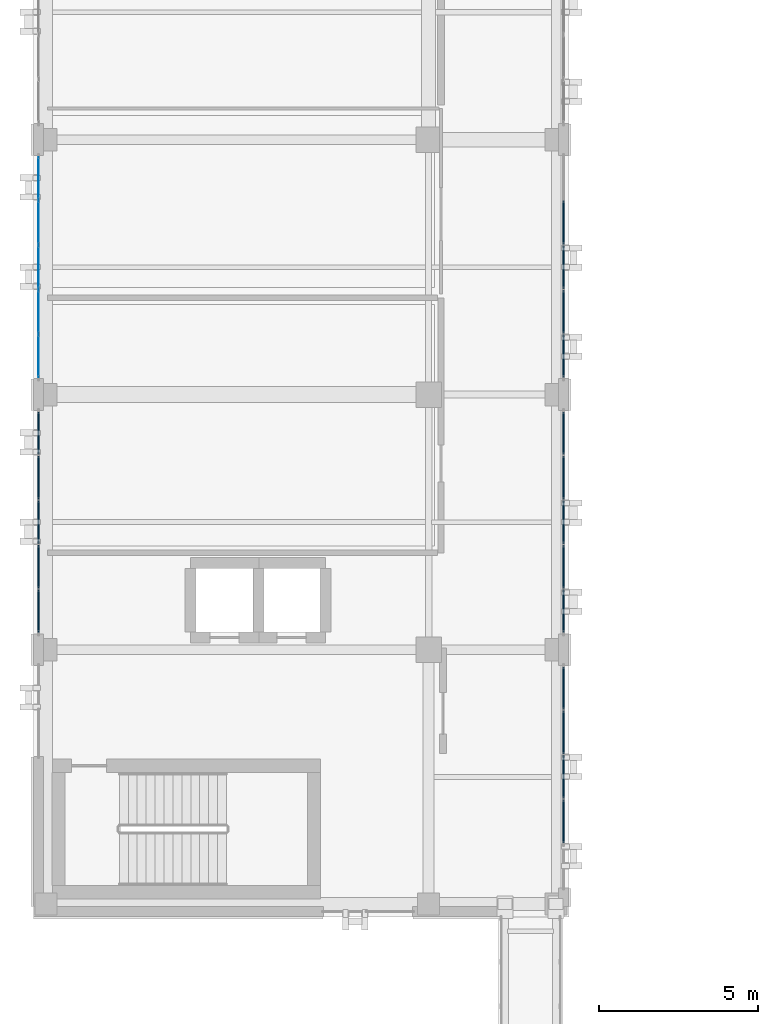
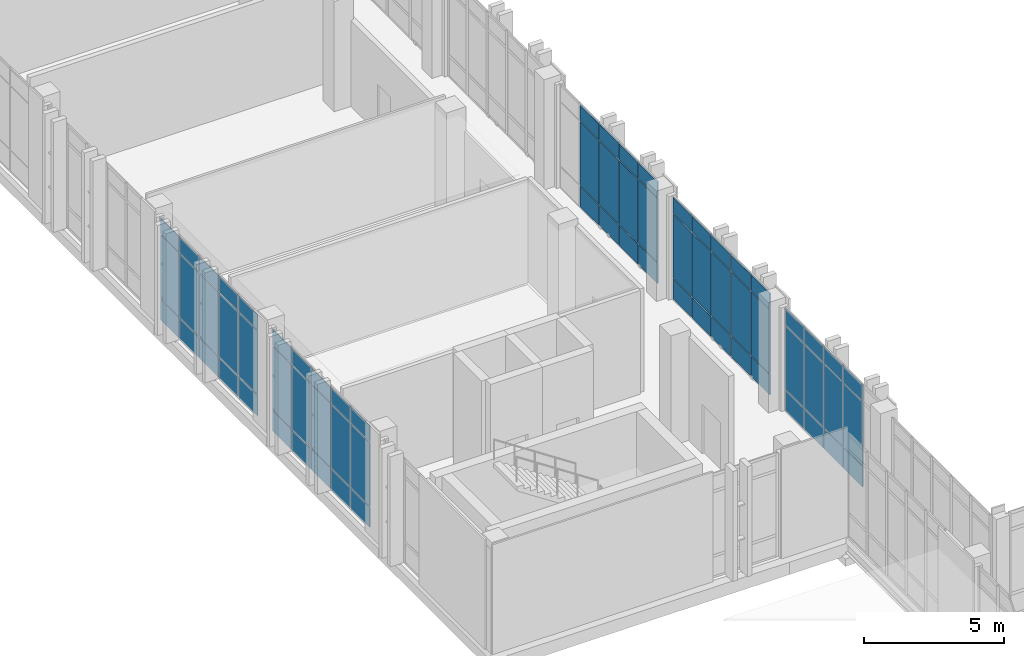
# One storey, part 133 of 189: 69 plates, 5 elements without a shape of their own.
"""IFC4 building model written with IfcOpenShell, lengths in metres."""

from ifc_helpers import new_model, si_unit, direction, frame, origin, origin_2d, place, context, subcontext, project, spatial, rectangle, extrude, material, layer, layer_set, type_object, element, aggregate, save


model = new_model("IFC4")

# Units and contexts
model_context = context("Model", 3, precision=1e-05, world=origin(), true_north=direction((0.0, 1.0)))
body_context = subcontext(model_context, "Body", "Model", "MODEL_VIEW")
ifc_project = project(units=[si_unit("LENGTHUNIT", "METRE"), si_unit("AREAUNIT", "SQUARE_METRE"), si_unit("VOLUMEUNIT", "CUBIC_METRE"), si_unit("PLANEANGLEUNIT", "RADIAN"), si_unit("MASSUNIT", "GRAM", prefix="KILO")], contexts=[model_context])

# Site, building, storey
site_placement = place(None, origin())
site = spatial("IfcSite", under=ifc_project, at=site_placement, CompositionType="ELEMENT")
building_placement = place(site_placement, origin())
building = spatial("IfcBuilding", under=site, at=building_placement, Name="Qalavern Law Courts", CompositionType="ELEMENT")
storey_placement = place(building_placement, frame((0.0, 0.0, 5.39990234375)))
storey = spatial("IfcBuildingStorey", under=building, at=storey_placement, Name="L01", CompositionType="ELEMENT", Elevation=5.39990234375)

# Curtain wall, plates
ifc_material_1 = material(Name="Anodised aluminium and insulated glazing", Category="aluminium")
ifc_layer_1 = layer(ifc_material_1, 0.172119140625)
ifc_layer_set_1 = layer_set([ifc_layer_1], Name="Anodised aluminium and insulated glazing")
curtain_wall_type = type_object("IfcCurtainWallType", Name="ENV-CW-COURT", PredefinedType="USERDEFINED", material=ifc_layer_set_1)
curtain_wall_1_placement = place(storey_placement, origin())
curtain_wall_1 = element("IfcCurtainWall", 1, at=curtain_wall_1_placement, inside=storey, type_object=curtain_wall_type, Name="V3 unitised curtain wall L01 west 5", ObjectType="UNITISED CURTAIN WALL", PredefinedType="USERDEFINED")
ifc_material_2 = material(Name="Insulated low-E acoustic glazing", Category="glass")
ifc_layer_2 = layer(ifc_material_2, 0.028076171875)
ifc_layer_set_2 = layer_set([ifc_layer_2], Name="Insulated low-E acoustic glazing")
plate_type_1 = type_object("IfcPlateType", Name="ENV-CWP-28", PredefinedType="CURTAIN_PANEL", material=ifc_layer_set_2)
plate_1_placement = place(storey_placement, frame((2.16259765625, 64.18798828125, 0.048095703125), z_axis=(0.0, 0.0, 1.0), x_axis=(0.0, -1.0, 0.0)))
plate_1 = element("IfcPlate", 2, at=plate_1_placement, type_object=plate_type_1, Name="CW-03 panel 1.1", PredefinedType="CURTAIN_PANEL", context=body_context, shape_type="SweptSolid", body=[
    extrude(rectangle(XDim=1.327880859375, YDim=0.028076171875, at=origin_2d()), origin(), (0.0, 0.0, 1.0), 0.8779296875),
])
plate_2_placement = place(storey_placement, frame((2.16259765625, 64.18798828125, 0.97412109375), z_axis=(0.0, 0.0, 1.0), x_axis=(0.0, -1.0, 0.0)))
plate_2 = element("IfcPlate", 3, at=plate_2_placement, type_object=plate_type_1, Name="CW-03 panel 1.2", PredefinedType="CURTAIN_PANEL", context=body_context, shape_type="SweptSolid", body=[
    extrude(rectangle(XDim=1.327880859375, YDim=0.028076171875, at=origin_2d()), origin(), (0.0, 0.0, 1.0), 2.761962890625),
])
plate_3_placement = place(storey_placement, frame((2.16259765625, 64.18798828125, 3.7841796875), z_axis=(0.0, 0.0, 1.0), x_axis=(0.0, -1.0, 0.0)))
plate_3 = element("IfcPlate", 4, at=plate_3_placement, type_object=plate_type_1, Name="CW-03 panel 1.3", PredefinedType="CURTAIN_PANEL", context=body_context, shape_type="SweptSolid", body=[
    extrude(rectangle(XDim=1.327880859375, YDim=0.028076171875, at=origin_2d()), origin(), (0.0, 0.0, 1.0), 0.677978515625),
])
plate_4_placement = place(storey_placement, frame((2.16259765625, 62.800048828125, 0.048095703125), z_axis=(0.0, 0.0, 1.0), x_axis=(0.0, -1.0, 0.0)))
plate_4 = element("IfcPlate", 5, at=plate_4_placement, type_object=plate_type_1, Name="CW-03 panel 2.1", PredefinedType="CURTAIN_PANEL", context=body_context, shape_type="SweptSolid", body=[
    extrude(rectangle(XDim=1.35205078125, YDim=0.028076171875, at=origin_2d()), origin(), (0.0, 0.0, 1.0), 0.8779296875),
])
plate_5_placement = place(storey_placement, frame((2.16259765625, 62.800048828125, 0.97412109375), z_axis=(0.0, 0.0, 1.0), x_axis=(0.0, -1.0, 0.0)))
plate_5 = element("IfcPlate", 6, at=plate_5_placement, type_object=plate_type_1, Name="CW-03 panel 2.2", PredefinedType="CURTAIN_PANEL", context=body_context, shape_type="SweptSolid", body=[
    extrude(rectangle(XDim=1.35205078125, YDim=0.028076171875, at=origin_2d()), origin(), (0.0, 0.0, 1.0), 2.761962890625),
])
plate_6_placement = place(storey_placement, frame((2.16259765625, 62.800048828125, 3.7841796875), z_axis=(0.0, 0.0, 1.0), x_axis=(0.0, -1.0, 0.0)))
plate_6 = element("IfcPlate", 7, at=plate_6_placement, type_object=plate_type_1, Name="CW-03 panel 2.3", PredefinedType="CURTAIN_PANEL", context=body_context, shape_type="SweptSolid", body=[
    extrude(rectangle(XDim=1.35205078125, YDim=0.028076171875, at=origin_2d()), origin(), (0.0, 0.0, 1.0), 0.677978515625),
])
plate_7_placement = place(storey_placement, frame((2.16259765625, 61.39990234375, 0.048095703125), z_axis=(0.0, 0.0, 1.0), x_axis=(0.0, -1.0, 0.0)))
plate_7 = element("IfcPlate", 8, at=plate_7_placement, type_object=plate_type_1, Name="CW-03 panel 3.1", PredefinedType="CURTAIN_PANEL", context=body_context, shape_type="SweptSolid", body=[
    extrude(rectangle(XDim=1.35205078125, YDim=0.028076171875, at=origin_2d()), origin(), (0.0, 0.0, 1.0), 0.8779296875),
])
plate_8_placement = place(storey_placement, frame((2.16259765625, 61.39990234375, 0.97412109375), z_axis=(0.0, 0.0, 1.0), x_axis=(0.0, -1.0, 0.0)))
plate_8 = element("IfcPlate", 9, at=plate_8_placement, type_object=plate_type_1, Name="CW-03 panel 3.2", PredefinedType="CURTAIN_PANEL", context=body_context, shape_type="SweptSolid", body=[
    extrude(rectangle(XDim=1.35205078125, YDim=0.028076171875, at=origin_2d()), origin(), (0.0, 0.0, 1.0), 2.761962890625),
])
plate_9_placement = place(storey_placement, frame((2.16259765625, 61.39990234375, 3.7841796875), z_axis=(0.0, 0.0, 1.0), x_axis=(0.0, -1.0, 0.0)))
plate_9 = element("IfcPlate", 10, at=plate_9_placement, type_object=plate_type_1, Name="CW-03 panel 3.3", PredefinedType="CURTAIN_PANEL", context=body_context, shape_type="SweptSolid", body=[
    extrude(rectangle(XDim=1.35205078125, YDim=0.028076171875, at=origin_2d()), origin(), (0.0, 0.0, 1.0), 0.677978515625),
])
plate_10_placement = place(storey_placement, frame((2.16259765625, 60.0, 0.048095703125), z_axis=(0.0, 0.0, 1.0), x_axis=(0.0, -1.0, 0.0)))
plate_10 = element("IfcPlate", 11, at=plate_10_placement, type_object=plate_type_1, Name="CW-03 panel 4.1", PredefinedType="CURTAIN_PANEL", context=body_context, shape_type="SweptSolid", body=[
    extrude(rectangle(XDim=1.35205078125, YDim=0.028076171875, at=origin_2d()), origin(), (0.0, 0.0, 1.0), 0.8779296875),
])
plate_11_placement = place(storey_placement, frame((2.16259765625, 60.0, 0.97412109375), z_axis=(0.0, 0.0, 1.0), x_axis=(0.0, -1.0, 0.0)))
plate_11 = element("IfcPlate", 12, at=plate_11_placement, type_object=plate_type_1, Name="CW-03 panel 4.2", PredefinedType="CURTAIN_PANEL", context=body_context, shape_type="SweptSolid", body=[
    extrude(rectangle(XDim=1.35205078125, YDim=0.028076171875, at=origin_2d()), origin(), (0.0, 0.0, 1.0), 2.761962890625),
])
plate_12_placement = place(storey_placement, frame((2.16259765625, 60.0, 3.7841796875), z_axis=(0.0, 0.0, 1.0), x_axis=(0.0, -1.0, 0.0)))
plate_12 = element("IfcPlate", 13, at=plate_12_placement, type_object=plate_type_1, Name="CW-03 panel 4.3", PredefinedType="CURTAIN_PANEL", context=body_context, shape_type="SweptSolid", body=[
    extrude(rectangle(XDim=1.35205078125, YDim=0.028076171875, at=origin_2d()), origin(), (0.0, 0.0, 1.0), 0.677978515625),
])
plate_13_placement = place(storey_placement, frame((2.16259765625, 58.612060546875, 0.048095703125), z_axis=(0.0, 0.0, 1.0), x_axis=(0.0, -1.0, 0.0)))
plate_13 = element("IfcPlate", 14, at=plate_13_placement, type_object=plate_type_1, Name="CW-03 panel 5.1", PredefinedType="CURTAIN_PANEL", context=body_context, shape_type="SweptSolid", body=[
    extrude(rectangle(XDim=1.327880859375, YDim=0.028076171875, at=origin_2d()), origin(), (0.0, 0.0, 1.0), 0.8779296875),
])
plate_14_placement = place(storey_placement, frame((2.16259765625, 58.612060546875, 0.97412109375), z_axis=(0.0, 0.0, 1.0), x_axis=(0.0, -1.0, 0.0)))
plate_14 = element("IfcPlate", 15, at=plate_14_placement, type_object=plate_type_1, Name="CW-03 panel 5.2", PredefinedType="CURTAIN_PANEL", context=body_context, shape_type="SweptSolid", body=[
    extrude(rectangle(XDim=1.327880859375, YDim=0.028076171875, at=origin_2d()), origin(), (0.0, 0.0, 1.0), 2.761962890625),
])
plate_15_placement = place(storey_placement, frame((2.16259765625, 58.612060546875, 3.7841796875), z_axis=(0.0, 0.0, 1.0), x_axis=(0.0, -1.0, 0.0)))
plate_15 = element("IfcPlate", 16, at=plate_15_placement, type_object=plate_type_1, Name="CW-03 panel 5.3", PredefinedType="CURTAIN_PANEL", context=body_context, shape_type="SweptSolid", body=[
    extrude(rectangle(XDim=1.327880859375, YDim=0.028076171875, at=origin_2d()), origin(), (0.0, 0.0, 1.0), 0.677978515625),
])
aggregate(curtain_wall_1, [plate_1, plate_2, plate_3, plate_4, plate_5, plate_6, plate_7, plate_8, plate_9, plate_10, plate_11, plate_12, plate_13, plate_14, plate_15])

curtain_wall_2_placement = place(storey_placement, origin())
curtain_wall_2 = element("IfcCurtainWall", 17, at=curtain_wall_2_placement, inside=storey, type_object=curtain_wall_type, Name="V3 unitised curtain wall L01 west 6", ObjectType="UNITISED CURTAIN WALL", PredefinedType="USERDEFINED")
ifc_layer_3 = layer(ifc_material_2, 0.031982421875)
ifc_layer_set_3 = layer_set([ifc_layer_3], Name="Insulated low-E acoustic glazing")
plate_type_2 = type_object("IfcPlateType", Name="ENV-CWP-32", PredefinedType="CURTAIN_PANEL", material=ifc_layer_set_3)
plate_16_placement = place(storey_placement, frame((2.16259765625, 56.18798828125, 0.048095703125), z_axis=(0.0, 0.0, 1.0), x_axis=(0.0, -1.0, 0.0)))
plate_16 = element("IfcPlate", 18, at=plate_16_placement, type_object=plate_type_2, Name="CW-03 panel 1.1", PredefinedType="CURTAIN_PANEL", context=body_context, shape_type="SweptSolid", body=[
    extrude(rectangle(XDim=1.327880859375, YDim=0.031982421875, at=origin_2d()), origin(), (0.0, 0.0, 1.0), 0.8779296875),
])
plate_17_placement = place(storey_placement, frame((2.16259765625, 56.18798828125, 0.97412109375), z_axis=(0.0, 0.0, 1.0), x_axis=(0.0, -1.0, 0.0)))
plate_17 = element("IfcPlate", 19, at=plate_17_placement, type_object=plate_type_2, Name="CW-03 panel 1.2", PredefinedType="CURTAIN_PANEL", context=body_context, shape_type="SweptSolid", body=[
    extrude(rectangle(XDim=1.327880859375, YDim=0.031982421875, at=origin_2d()), origin(), (0.0, 0.0, 1.0), 2.761962890625),
])
plate_18_placement = place(storey_placement, frame((2.16259765625, 56.18798828125, 3.7841796875), z_axis=(0.0, 0.0, 1.0), x_axis=(0.0, -1.0, 0.0)))
plate_18 = element("IfcPlate", 20, at=plate_18_placement, type_object=plate_type_2, Name="CW-03 panel 1.3", PredefinedType="CURTAIN_PANEL", context=body_context, shape_type="SweptSolid", body=[
    extrude(rectangle(XDim=1.327880859375, YDim=0.031982421875, at=origin_2d()), origin(), (0.0, 0.0, 1.0), 0.677978515625),
])
plate_19_placement = place(storey_placement, frame((2.16259765625, 54.800048828125, 0.048095703125), z_axis=(0.0, 0.0, 1.0), x_axis=(0.0, -1.0, 0.0)))
plate_19 = element("IfcPlate", 21, at=plate_19_placement, type_object=plate_type_2, Name="CW-03 panel 2.1", PredefinedType="CURTAIN_PANEL", context=body_context, shape_type="SweptSolid", body=[
    extrude(rectangle(XDim=1.35205078125, YDim=0.031982421875, at=origin_2d()), origin(), (0.0, 0.0, 1.0), 0.8779296875),
])
plate_20_placement = place(storey_placement, frame((2.16259765625, 54.800048828125, 0.97412109375), z_axis=(0.0, 0.0, 1.0), x_axis=(0.0, -1.0, 0.0)))
plate_20 = element("IfcPlate", 22, at=plate_20_placement, type_object=plate_type_2, Name="CW-03 panel 2.2", PredefinedType="CURTAIN_PANEL", context=body_context, shape_type="SweptSolid", body=[
    extrude(rectangle(XDim=1.35205078125, YDim=0.031982421875, at=origin_2d()), origin(), (0.0, 0.0, 1.0), 2.761962890625),
])
plate_21_placement = place(storey_placement, frame((2.16259765625, 54.800048828125, 3.7841796875), z_axis=(0.0, 0.0, 1.0), x_axis=(0.0, -1.0, 0.0)))
plate_21 = element("IfcPlate", 23, at=plate_21_placement, type_object=plate_type_2, Name="CW-03 panel 2.3", PredefinedType="CURTAIN_PANEL", context=body_context, shape_type="SweptSolid", body=[
    extrude(rectangle(XDim=1.35205078125, YDim=0.031982421875, at=origin_2d()), origin(), (0.0, 0.0, 1.0), 0.677978515625),
])
plate_22_placement = place(storey_placement, frame((2.16259765625, 53.39990234375, 0.048095703125), z_axis=(0.0, 0.0, 1.0), x_axis=(0.0, -1.0, 0.0)))
plate_22 = element("IfcPlate", 24, at=plate_22_placement, type_object=plate_type_2, Name="CW-03 panel 3.1", PredefinedType="CURTAIN_PANEL", context=body_context, shape_type="SweptSolid", body=[
    extrude(rectangle(XDim=1.35205078125, YDim=0.031982421875, at=origin_2d()), origin(), (0.0, 0.0, 1.0), 0.8779296875),
])
plate_23_placement = place(storey_placement, frame((2.16259765625, 53.39990234375, 0.97412109375), z_axis=(0.0, 0.0, 1.0), x_axis=(0.0, -1.0, 0.0)))
plate_23 = element("IfcPlate", 25, at=plate_23_placement, type_object=plate_type_2, Name="CW-03 panel 3.2", PredefinedType="CURTAIN_PANEL", context=body_context, shape_type="SweptSolid", body=[
    extrude(rectangle(XDim=1.35205078125, YDim=0.031982421875, at=origin_2d()), origin(), (0.0, 0.0, 1.0), 2.761962890625),
])
plate_24_placement = place(storey_placement, frame((2.16259765625, 53.39990234375, 3.7841796875), z_axis=(0.0, 0.0, 1.0), x_axis=(0.0, -1.0, 0.0)))
plate_24 = element("IfcPlate", 26, at=plate_24_placement, type_object=plate_type_2, Name="CW-03 panel 3.3", PredefinedType="CURTAIN_PANEL", context=body_context, shape_type="SweptSolid", body=[
    extrude(rectangle(XDim=1.35205078125, YDim=0.031982421875, at=origin_2d()), origin(), (0.0, 0.0, 1.0), 0.677978515625),
])
plate_25_placement = place(storey_placement, frame((2.16259765625, 52.0, 0.048095703125), z_axis=(0.0, 0.0, 1.0), x_axis=(0.0, -1.0, 0.0)))
plate_25 = element("IfcPlate", 27, at=plate_25_placement, type_object=plate_type_2, Name="CW-03 panel 4.1", PredefinedType="CURTAIN_PANEL", context=body_context, shape_type="SweptSolid", body=[
    extrude(rectangle(XDim=1.35205078125, YDim=0.031982421875, at=origin_2d()), origin(), (0.0, 0.0, 1.0), 0.8779296875),
])
plate_26_placement = place(storey_placement, frame((2.16259765625, 52.0, 0.97412109375), z_axis=(0.0, 0.0, 1.0), x_axis=(0.0, -1.0, 0.0)))
plate_26 = element("IfcPlate", 28, at=plate_26_placement, type_object=plate_type_2, Name="CW-03 panel 4.2", PredefinedType="CURTAIN_PANEL", context=body_context, shape_type="SweptSolid", body=[
    extrude(rectangle(XDim=1.35205078125, YDim=0.031982421875, at=origin_2d()), origin(), (0.0, 0.0, 1.0), 2.761962890625),
])
plate_27_placement = place(storey_placement, frame((2.16259765625, 52.0, 3.7841796875), z_axis=(0.0, 0.0, 1.0), x_axis=(0.0, -1.0, 0.0)))
plate_27 = element("IfcPlate", 29, at=plate_27_placement, type_object=plate_type_2, Name="CW-03 panel 4.3", PredefinedType="CURTAIN_PANEL", context=body_context, shape_type="SweptSolid", body=[
    extrude(rectangle(XDim=1.35205078125, YDim=0.031982421875, at=origin_2d()), origin(), (0.0, 0.0, 1.0), 0.677978515625),
])
plate_28_placement = place(storey_placement, frame((2.16259765625, 50.612060546875, 0.048095703125), z_axis=(0.0, 0.0, 1.0), x_axis=(0.0, -1.0, 0.0)))
plate_28 = element("IfcPlate", 30, at=plate_28_placement, type_object=plate_type_2, Name="CW-03 panel 5.1", PredefinedType="CURTAIN_PANEL", context=body_context, shape_type="SweptSolid", body=[
    extrude(rectangle(XDim=1.327880859375, YDim=0.031982421875, at=origin_2d()), origin(), (0.0, 0.0, 1.0), 0.8779296875),
])
plate_29_placement = place(storey_placement, frame((2.16259765625, 50.612060546875, 0.97412109375), z_axis=(0.0, 0.0, 1.0), x_axis=(0.0, -1.0, 0.0)))
plate_29 = element("IfcPlate", 31, at=plate_29_placement, type_object=plate_type_2, Name="CW-03 panel 5.2", PredefinedType="CURTAIN_PANEL", context=body_context, shape_type="SweptSolid", body=[
    extrude(rectangle(XDim=1.327880859375, YDim=0.031982421875, at=origin_2d()), origin(), (0.0, 0.0, 1.0), 2.761962890625),
])
plate_30_placement = place(storey_placement, frame((2.16259765625, 50.612060546875, 3.7841796875), z_axis=(0.0, 0.0, 1.0), x_axis=(0.0, -1.0, 0.0)))
plate_30 = element("IfcPlate", 32, at=plate_30_placement, type_object=plate_type_2, Name="CW-03 panel 5.3", PredefinedType="CURTAIN_PANEL", context=body_context, shape_type="SweptSolid", body=[
    extrude(rectangle(XDim=1.327880859375, YDim=0.031982421875, at=origin_2d()), origin(), (0.0, 0.0, 1.0), 0.677978515625),
])
aggregate(curtain_wall_2, [plate_16, plate_17, plate_18, plate_19, plate_20, plate_21, plate_22, plate_23, plate_24, plate_25, plate_26, plate_27, plate_28, plate_29, plate_30])

curtain_wall_3_placement = place(storey_placement, origin())
curtain_wall_3 = element("IfcCurtainWall", 33, at=curtain_wall_3_placement, inside=storey, type_object=curtain_wall_type, Name="V3 unitised curtain wall L01 east 1", ObjectType="UNITISED CURTAIN WALL", PredefinedType="USERDEFINED")
ifc_layer_4 = layer(ifc_material_2, 0.0439453125)
ifc_layer_set_4 = layer_set([ifc_layer_4], Name="Insulated low-E acoustic glazing")
plate_type_3 = type_object("IfcPlateType", Name="ENV-CWP-44", PredefinedType="CURTAIN_PANEL", material=ifc_layer_set_4)
plate_31_placement = place(storey_placement, frame((18.637451171875, 44.013916015625, 0.048095703125), z_axis=(0.0, 0.0, 1.0), x_axis=(0.0, 1.0, 0.0)))
plate_31 = element("IfcPlate", 34, at=plate_31_placement, type_object=plate_type_3, Name="CW-03 panel 2.1", PredefinedType="CURTAIN_PANEL", context=body_context, shape_type="SweptSolid", body=[
    extrude(rectangle(XDim=1.347900390625, YDim=0.0439453125, at=origin_2d()), origin(), (0.0, 0.0, 1.0), 0.8779296875),
])
plate_32_placement = place(storey_placement, frame((18.637451171875, 44.013916015625, 0.97412109375), z_axis=(0.0, 0.0, 1.0), x_axis=(0.0, 1.0, 0.0)))
plate_32 = element("IfcPlate", 35, at=plate_32_placement, type_object=plate_type_3, Name="CW-03 panel 2.2", PredefinedType="CURTAIN_PANEL", context=body_context, shape_type="SweptSolid", body=[
    extrude(rectangle(XDim=1.347900390625, YDim=0.0439453125, at=origin_2d()), origin(), (0.0, 0.0, 1.0), 2.761962890625),
])
plate_33_placement = place(storey_placement, frame((18.637451171875, 44.013916015625, 3.7841796875), z_axis=(0.0, 0.0, 1.0), x_axis=(0.0, 1.0, 0.0)))
plate_33 = element("IfcPlate", 36, at=plate_33_placement, type_object=plate_type_3, Name="CW-03 panel 2.3", PredefinedType="CURTAIN_PANEL", context=body_context, shape_type="SweptSolid", body=[
    extrude(rectangle(XDim=1.347900390625, YDim=0.0439453125, at=origin_2d()), origin(), (0.0, 0.0, 1.0), 0.677978515625),
])
plate_34_placement = place(storey_placement, frame((18.637451171875, 45.409912109375, 0.048095703125), z_axis=(0.0, 0.0, 1.0), x_axis=(0.0, 1.0, 0.0)))
plate_34 = element("IfcPlate", 37, at=plate_34_placement, type_object=plate_type_3, Name="CW-03 panel 3.1", PredefinedType="CURTAIN_PANEL", context=body_context, shape_type="SweptSolid", body=[
    extrude(rectangle(XDim=1.347900390625, YDim=0.0439453125, at=origin_2d()), origin(), (0.0, 0.0, 1.0), 0.8779296875),
])
plate_35_placement = place(storey_placement, frame((18.637451171875, 45.409912109375, 0.97412109375), z_axis=(0.0, 0.0, 1.0), x_axis=(0.0, 1.0, 0.0)))
plate_35 = element("IfcPlate", 38, at=plate_35_placement, type_object=plate_type_3, Name="CW-03 panel 3.2", PredefinedType="CURTAIN_PANEL", context=body_context, shape_type="SweptSolid", body=[
    extrude(rectangle(XDim=1.347900390625, YDim=0.0439453125, at=origin_2d()), origin(), (0.0, 0.0, 1.0), 2.761962890625),
])
plate_36_placement = place(storey_placement, frame((18.637451171875, 45.409912109375, 3.7841796875), z_axis=(0.0, 0.0, 1.0), x_axis=(0.0, 1.0, 0.0)))
plate_36 = element("IfcPlate", 39, at=plate_36_placement, type_object=plate_type_3, Name="CW-03 panel 3.3", PredefinedType="CURTAIN_PANEL", context=body_context, shape_type="SweptSolid", body=[
    extrude(rectangle(XDim=1.347900390625, YDim=0.0439453125, at=origin_2d()), origin(), (0.0, 0.0, 1.0), 0.677978515625),
])
plate_37_placement = place(storey_placement, frame((18.637451171875, 46.805908203125, 0.048095703125), z_axis=(0.0, 0.0, 1.0), x_axis=(0.0, 1.0, 0.0)))
plate_37 = element("IfcPlate", 40, at=plate_37_placement, type_object=plate_type_3, Name="CW-03 panel 4.1", PredefinedType="CURTAIN_PANEL", context=body_context, shape_type="SweptSolid", body=[
    extrude(rectangle(XDim=1.347900390625, YDim=0.0439453125, at=origin_2d()), origin(), (0.0, 0.0, 1.0), 0.8779296875),
])
plate_38_placement = place(storey_placement, frame((18.637451171875, 46.805908203125, 0.97412109375), z_axis=(0.0, 0.0, 1.0), x_axis=(0.0, 1.0, 0.0)))
plate_38 = element("IfcPlate", 41, at=plate_38_placement, type_object=plate_type_3, Name="CW-03 panel 4.2", PredefinedType="CURTAIN_PANEL", context=body_context, shape_type="SweptSolid", body=[
    extrude(rectangle(XDim=1.347900390625, YDim=0.0439453125, at=origin_2d()), origin(), (0.0, 0.0, 1.0), 2.761962890625),
])
plate_39_placement = place(storey_placement, frame((18.637451171875, 46.805908203125, 3.7841796875), z_axis=(0.0, 0.0, 1.0), x_axis=(0.0, 1.0, 0.0)))
plate_39 = element("IfcPlate", 42, at=plate_39_placement, type_object=plate_type_3, Name="CW-03 panel 4.3", PredefinedType="CURTAIN_PANEL", context=body_context, shape_type="SweptSolid", body=[
    extrude(rectangle(XDim=1.347900390625, YDim=0.0439453125, at=origin_2d()), origin(), (0.0, 0.0, 1.0), 0.677978515625),
])
plate_40_placement = place(storey_placement, frame((18.637451171875, 48.18994140625, 0.048095703125), z_axis=(0.0, 0.0, 1.0), x_axis=(0.0, 1.0, 0.0)))
plate_40 = element("IfcPlate", 43, at=plate_40_placement, type_object=plate_type_3, Name="CW-03 panel 5.1", PredefinedType="CURTAIN_PANEL", context=body_context, shape_type="SweptSolid", body=[
    extrude(rectangle(XDim=1.323974609375, YDim=0.0439453125, at=origin_2d()), origin(), (0.0, 0.0, 1.0), 0.8779296875),
])
plate_41_placement = place(storey_placement, frame((18.637451171875, 48.18994140625, 0.97412109375), z_axis=(0.0, 0.0, 1.0), x_axis=(0.0, 1.0, 0.0)))
plate_41 = element("IfcPlate", 44, at=plate_41_placement, type_object=plate_type_3, Name="CW-03 panel 5.2", PredefinedType="CURTAIN_PANEL", context=body_context, shape_type="SweptSolid", body=[
    extrude(rectangle(XDim=1.323974609375, YDim=0.0439453125, at=origin_2d()), origin(), (0.0, 0.0, 1.0), 2.761962890625),
])
plate_42_placement = place(storey_placement, frame((18.637451171875, 48.18994140625, 3.7841796875), z_axis=(0.0, 0.0, 1.0), x_axis=(0.0, 1.0, 0.0)))
plate_42 = element("IfcPlate", 45, at=plate_42_placement, type_object=plate_type_3, Name="CW-03 panel 5.3", PredefinedType="CURTAIN_PANEL", context=body_context, shape_type="SweptSolid", body=[
    extrude(rectangle(XDim=1.323974609375, YDim=0.0439453125, at=origin_2d()), origin(), (0.0, 0.0, 1.0), 0.677978515625),
])
aggregate(curtain_wall_3, [plate_31, plate_32, plate_33, plate_34, plate_35, plate_36, plate_37, plate_38, plate_39, plate_40, plate_41, plate_42])

curtain_wall_4_placement = place(storey_placement, origin())
curtain_wall_4 = element("IfcCurtainWall", 46, at=curtain_wall_4_placement, inside=storey, type_object=curtain_wall_type, Name="V3 unitised curtain wall L01 east 2", ObjectType="UNITISED CURTAIN WALL", PredefinedType="USERDEFINED")
ifc_layer_5 = layer(ifc_material_2, 0.048095703125)
ifc_layer_set_5 = layer_set([ifc_layer_5], Name="Insulated low-E acoustic glazing")
plate_type_4 = type_object("IfcPlateType", Name="ENV-CWP-48", PredefinedType="CURTAIN_PANEL", material=ifc_layer_set_5)
plate_43_placement = place(storey_placement, frame((18.637451171875, 50.612060546875, 0.048095703125), z_axis=(0.0, 0.0, 1.0), x_axis=(0.0, 1.0, 0.0)))
plate_43 = element("IfcPlate", 47, at=plate_43_placement, type_object=plate_type_4, Name="CW-03 panel 1.1", PredefinedType="CURTAIN_PANEL", context=body_context, shape_type="SweptSolid", body=[
    extrude(rectangle(XDim=1.327880859375, YDim=0.048095703125, at=origin_2d()), origin(), (0.0, 0.0, 1.0), 0.8779296875),
])
plate_44_placement = place(storey_placement, frame((18.637451171875, 50.612060546875, 0.97412109375), z_axis=(0.0, 0.0, 1.0), x_axis=(0.0, 1.0, 0.0)))
plate_44 = element("IfcPlate", 48, at=plate_44_placement, type_object=plate_type_4, Name="CW-03 panel 1.2", PredefinedType="CURTAIN_PANEL", context=body_context, shape_type="SweptSolid", body=[
    extrude(rectangle(XDim=1.327880859375, YDim=0.048095703125, at=origin_2d()), origin(), (0.0, 0.0, 1.0), 2.761962890625),
])
plate_45_placement = place(storey_placement, frame((18.637451171875, 50.612060546875, 3.7841796875), z_axis=(0.0, 0.0, 1.0), x_axis=(0.0, 1.0, 0.0)))
plate_45 = element("IfcPlate", 49, at=plate_45_placement, type_object=plate_type_4, Name="CW-03 panel 1.3", PredefinedType="CURTAIN_PANEL", context=body_context, shape_type="SweptSolid", body=[
    extrude(rectangle(XDim=1.327880859375, YDim=0.048095703125, at=origin_2d()), origin(), (0.0, 0.0, 1.0), 0.677978515625),
])
plate_46_placement = place(storey_placement, frame((18.637451171875, 52.0, 0.048095703125), z_axis=(0.0, 0.0, 1.0), x_axis=(0.0, 1.0, 0.0)))
plate_46 = element("IfcPlate", 50, at=plate_46_placement, type_object=plate_type_4, Name="CW-03 panel 2.1", PredefinedType="CURTAIN_PANEL", context=body_context, shape_type="SweptSolid", body=[
    extrude(rectangle(XDim=1.35205078125, YDim=0.048095703125, at=origin_2d()), origin(), (0.0, 0.0, 1.0), 0.8779296875),
])
plate_47_placement = place(storey_placement, frame((18.637451171875, 52.0, 0.97412109375), z_axis=(0.0, 0.0, 1.0), x_axis=(0.0, 1.0, 0.0)))
plate_47 = element("IfcPlate", 51, at=plate_47_placement, type_object=plate_type_4, Name="CW-03 panel 2.2", PredefinedType="CURTAIN_PANEL", context=body_context, shape_type="SweptSolid", body=[
    extrude(rectangle(XDim=1.35205078125, YDim=0.048095703125, at=origin_2d()), origin(), (0.0, 0.0, 1.0), 2.761962890625),
])
plate_48_placement = place(storey_placement, frame((18.637451171875, 52.0, 3.7841796875), z_axis=(0.0, 0.0, 1.0), x_axis=(0.0, 1.0, 0.0)))
plate_48 = element("IfcPlate", 52, at=plate_48_placement, type_object=plate_type_4, Name="CW-03 panel 2.3", PredefinedType="CURTAIN_PANEL", context=body_context, shape_type="SweptSolid", body=[
    extrude(rectangle(XDim=1.35205078125, YDim=0.048095703125, at=origin_2d()), origin(), (0.0, 0.0, 1.0), 0.677978515625),
])
plate_49_placement = place(storey_placement, frame((18.637451171875, 53.39990234375, 0.048095703125), z_axis=(0.0, 0.0, 1.0), x_axis=(0.0, 1.0, 0.0)))
plate_49 = element("IfcPlate", 53, at=plate_49_placement, type_object=plate_type_4, Name="CW-03 panel 3.1", PredefinedType="CURTAIN_PANEL", context=body_context, shape_type="SweptSolid", body=[
    extrude(rectangle(XDim=1.35205078125, YDim=0.048095703125, at=origin_2d()), origin(), (0.0, 0.0, 1.0), 0.8779296875),
])
plate_50_placement = place(storey_placement, frame((18.637451171875, 53.39990234375, 0.97412109375), z_axis=(0.0, 0.0, 1.0), x_axis=(0.0, 1.0, 0.0)))
plate_50 = element("IfcPlate", 54, at=plate_50_placement, type_object=plate_type_4, Name="CW-03 panel 3.2", PredefinedType="CURTAIN_PANEL", context=body_context, shape_type="SweptSolid", body=[
    extrude(rectangle(XDim=1.35205078125, YDim=0.048095703125, at=origin_2d()), origin(), (0.0, 0.0, 1.0), 2.761962890625),
])
plate_51_placement = place(storey_placement, frame((18.637451171875, 53.39990234375, 3.7841796875), z_axis=(0.0, 0.0, 1.0), x_axis=(0.0, 1.0, 0.0)))
plate_51 = element("IfcPlate", 55, at=plate_51_placement, type_object=plate_type_4, Name="CW-03 panel 3.3", PredefinedType="CURTAIN_PANEL", context=body_context, shape_type="SweptSolid", body=[
    extrude(rectangle(XDim=1.35205078125, YDim=0.048095703125, at=origin_2d()), origin(), (0.0, 0.0, 1.0), 0.677978515625),
])
plate_52_placement = place(storey_placement, frame((18.637451171875, 54.800048828125, 0.048095703125), z_axis=(0.0, 0.0, 1.0), x_axis=(0.0, 1.0, 0.0)))
plate_52 = element("IfcPlate", 56, at=plate_52_placement, type_object=plate_type_4, Name="CW-03 panel 4.1", PredefinedType="CURTAIN_PANEL", context=body_context, shape_type="SweptSolid", body=[
    extrude(rectangle(XDim=1.35205078125, YDim=0.048095703125, at=origin_2d()), origin(), (0.0, 0.0, 1.0), 0.8779296875),
])
plate_53_placement = place(storey_placement, frame((18.637451171875, 54.800048828125, 0.97412109375), z_axis=(0.0, 0.0, 1.0), x_axis=(0.0, 1.0, 0.0)))
plate_53 = element("IfcPlate", 57, at=plate_53_placement, type_object=plate_type_4, Name="CW-03 panel 4.2", PredefinedType="CURTAIN_PANEL", context=body_context, shape_type="SweptSolid", body=[
    extrude(rectangle(XDim=1.35205078125, YDim=0.048095703125, at=origin_2d()), origin(), (0.0, 0.0, 1.0), 2.761962890625),
])
plate_54_placement = place(storey_placement, frame((18.637451171875, 54.800048828125, 3.7841796875), z_axis=(0.0, 0.0, 1.0), x_axis=(0.0, 1.0, 0.0)))
plate_54 = element("IfcPlate", 58, at=plate_54_placement, type_object=plate_type_4, Name="CW-03 panel 4.3", PredefinedType="CURTAIN_PANEL", context=body_context, shape_type="SweptSolid", body=[
    extrude(rectangle(XDim=1.35205078125, YDim=0.048095703125, at=origin_2d()), origin(), (0.0, 0.0, 1.0), 0.677978515625),
])
plate_55_placement = place(storey_placement, frame((18.637451171875, 56.18798828125, 0.048095703125), z_axis=(0.0, 0.0, 1.0), x_axis=(0.0, 1.0, 0.0)))
plate_55 = element("IfcPlate", 59, at=plate_55_placement, type_object=plate_type_4, Name="CW-03 panel 5.1", PredefinedType="CURTAIN_PANEL", context=body_context, shape_type="SweptSolid", body=[
    extrude(rectangle(XDim=1.327880859375, YDim=0.048095703125, at=origin_2d()), origin(), (0.0, 0.0, 1.0), 0.8779296875),
])
plate_56_placement = place(storey_placement, frame((18.637451171875, 56.18798828125, 0.97412109375), z_axis=(0.0, 0.0, 1.0), x_axis=(0.0, 1.0, 0.0)))
plate_56 = element("IfcPlate", 60, at=plate_56_placement, type_object=plate_type_4, Name="CW-03 panel 5.2", PredefinedType="CURTAIN_PANEL", context=body_context, shape_type="SweptSolid", body=[
    extrude(rectangle(XDim=1.327880859375, YDim=0.048095703125, at=origin_2d()), origin(), (0.0, 0.0, 1.0), 2.761962890625),
])
plate_57_placement = place(storey_placement, frame((18.637451171875, 56.18798828125, 3.7841796875), z_axis=(0.0, 0.0, 1.0), x_axis=(0.0, 1.0, 0.0)))
plate_57 = element("IfcPlate", 61, at=plate_57_placement, type_object=plate_type_4, Name="CW-03 panel 5.3", PredefinedType="CURTAIN_PANEL", context=body_context, shape_type="SweptSolid", body=[
    extrude(rectangle(XDim=1.327880859375, YDim=0.048095703125, at=origin_2d()), origin(), (0.0, 0.0, 1.0), 0.677978515625),
])
aggregate(curtain_wall_4, [plate_43, plate_44, plate_45, plate_46, plate_47, plate_48, plate_49, plate_50, plate_51, plate_52, plate_53, plate_54, plate_55, plate_56, plate_57])

curtain_wall_5_placement = place(storey_placement, origin())
curtain_wall_5 = element("IfcCurtainWall", 62, at=curtain_wall_5_placement, inside=storey, type_object=curtain_wall_type, Name="V3 unitised curtain wall L01 east 3", ObjectType="UNITISED CURTAIN WALL", PredefinedType="USERDEFINED")
ifc_layer_6 = layer(ifc_material_2, 0.052001953125)
ifc_layer_set_6 = layer_set([ifc_layer_6], Name="Insulated low-E acoustic glazing")
plate_type_5 = type_object("IfcPlateType", Name="ENV-CWP-52", PredefinedType="CURTAIN_PANEL", material=ifc_layer_set_6)
plate_58_placement = place(storey_placement, frame((18.637451171875, 58.612060546875, 0.048095703125), z_axis=(0.0, 0.0, 1.0), x_axis=(0.0, 1.0, 0.0)))
plate_58 = element("IfcPlate", 63, at=plate_58_placement, type_object=plate_type_5, Name="CW-03 panel 1.1", PredefinedType="CURTAIN_PANEL", context=body_context, shape_type="SweptSolid", body=[
    extrude(rectangle(XDim=1.327880859375, YDim=0.052001953125, at=origin_2d()), origin(), (0.0, 0.0, 1.0), 0.8779296875),
])
plate_59_placement = place(storey_placement, frame((18.637451171875, 58.612060546875, 0.97412109375), z_axis=(0.0, 0.0, 1.0), x_axis=(0.0, 1.0, 0.0)))
plate_59 = element("IfcPlate", 64, at=plate_59_placement, type_object=plate_type_5, Name="CW-03 panel 1.2", PredefinedType="CURTAIN_PANEL", context=body_context, shape_type="SweptSolid", body=[
    extrude(rectangle(XDim=1.327880859375, YDim=0.052001953125, at=origin_2d()), origin(), (0.0, 0.0, 1.0), 2.761962890625),
])
plate_60_placement = place(storey_placement, frame((18.637451171875, 58.612060546875, 3.7841796875), z_axis=(0.0, 0.0, 1.0), x_axis=(0.0, 1.0, 0.0)))
plate_60 = element("IfcPlate", 65, at=plate_60_placement, type_object=plate_type_5, Name="CW-03 panel 1.3", PredefinedType="CURTAIN_PANEL", context=body_context, shape_type="SweptSolid", body=[
    extrude(rectangle(XDim=1.327880859375, YDim=0.052001953125, at=origin_2d()), origin(), (0.0, 0.0, 1.0), 0.677978515625),
])
plate_61_placement = place(storey_placement, frame((18.637451171875, 60.0, 0.048095703125), z_axis=(0.0, 0.0, 1.0), x_axis=(0.0, 1.0, 0.0)))
plate_61 = element("IfcPlate", 66, at=plate_61_placement, type_object=plate_type_5, Name="CW-03 panel 2.1", PredefinedType="CURTAIN_PANEL", context=body_context, shape_type="SweptSolid", body=[
    extrude(rectangle(XDim=1.35205078125, YDim=0.052001953125, at=origin_2d()), origin(), (0.0, 0.0, 1.0), 0.8779296875),
])
plate_62_placement = place(storey_placement, frame((18.637451171875, 60.0, 0.97412109375), z_axis=(0.0, 0.0, 1.0), x_axis=(0.0, 1.0, 0.0)))
plate_62 = element("IfcPlate", 67, at=plate_62_placement, type_object=plate_type_5, Name="CW-03 panel 2.2", PredefinedType="CURTAIN_PANEL", context=body_context, shape_type="SweptSolid", body=[
    extrude(rectangle(XDim=1.35205078125, YDim=0.052001953125, at=origin_2d()), origin(), (0.0, 0.0, 1.0), 2.761962890625),
])
plate_63_placement = place(storey_placement, frame((18.637451171875, 60.0, 3.7841796875), z_axis=(0.0, 0.0, 1.0), x_axis=(0.0, 1.0, 0.0)))
plate_63 = element("IfcPlate", 68, at=plate_63_placement, type_object=plate_type_5, Name="CW-03 panel 2.3", PredefinedType="CURTAIN_PANEL", context=body_context, shape_type="SweptSolid", body=[
    extrude(rectangle(XDim=1.35205078125, YDim=0.052001953125, at=origin_2d()), origin(), (0.0, 0.0, 1.0), 0.677978515625),
])
plate_64_placement = place(storey_placement, frame((18.637451171875, 61.39990234375, 0.048095703125), z_axis=(0.0, 0.0, 1.0), x_axis=(0.0, 1.0, 0.0)))
plate_64 = element("IfcPlate", 69, at=plate_64_placement, type_object=plate_type_5, Name="CW-03 panel 3.1", PredefinedType="CURTAIN_PANEL", context=body_context, shape_type="SweptSolid", body=[
    extrude(rectangle(XDim=1.35205078125, YDim=0.052001953125, at=origin_2d()), origin(), (0.0, 0.0, 1.0), 0.8779296875),
])
plate_65_placement = place(storey_placement, frame((18.637451171875, 61.39990234375, 0.97412109375), z_axis=(0.0, 0.0, 1.0), x_axis=(0.0, 1.0, 0.0)))
plate_65 = element("IfcPlate", 70, at=plate_65_placement, type_object=plate_type_5, Name="CW-03 panel 3.2", PredefinedType="CURTAIN_PANEL", context=body_context, shape_type="SweptSolid", body=[
    extrude(rectangle(XDim=1.35205078125, YDim=0.052001953125, at=origin_2d()), origin(), (0.0, 0.0, 1.0), 2.761962890625),
])
plate_66_placement = place(storey_placement, frame((18.637451171875, 61.39990234375, 3.7841796875), z_axis=(0.0, 0.0, 1.0), x_axis=(0.0, 1.0, 0.0)))
plate_66 = element("IfcPlate", 71, at=plate_66_placement, type_object=plate_type_5, Name="CW-03 panel 3.3", PredefinedType="CURTAIN_PANEL", context=body_context, shape_type="SweptSolid", body=[
    extrude(rectangle(XDim=1.35205078125, YDim=0.052001953125, at=origin_2d()), origin(), (0.0, 0.0, 1.0), 0.677978515625),
])
plate_67_placement = place(storey_placement, frame((18.637451171875, 62.800048828125, 0.048095703125), z_axis=(0.0, 0.0, 1.0), x_axis=(0.0, 1.0, 0.0)))
plate_67 = element("IfcPlate", 72, at=plate_67_placement, type_object=plate_type_5, Name="CW-03 panel 4.1", PredefinedType="CURTAIN_PANEL", context=body_context, shape_type="SweptSolid", body=[
    extrude(rectangle(XDim=1.35205078125, YDim=0.052001953125, at=origin_2d()), origin(), (0.0, 0.0, 1.0), 0.8779296875),
])
plate_68_placement = place(storey_placement, frame((18.637451171875, 62.800048828125, 0.97412109375), z_axis=(0.0, 0.0, 1.0), x_axis=(0.0, 1.0, 0.0)))
plate_68 = element("IfcPlate", 73, at=plate_68_placement, type_object=plate_type_5, Name="CW-03 panel 4.2", PredefinedType="CURTAIN_PANEL", context=body_context, shape_type="SweptSolid", body=[
    extrude(rectangle(XDim=1.35205078125, YDim=0.052001953125, at=origin_2d()), origin(), (0.0, 0.0, 1.0), 2.761962890625),
])
plate_69_placement = place(storey_placement, frame((18.637451171875, 62.800048828125, 3.7841796875), z_axis=(0.0, 0.0, 1.0), x_axis=(0.0, 1.0, 0.0)))
plate_69 = element("IfcPlate", 74, at=plate_69_placement, type_object=plate_type_5, Name="CW-03 panel 4.3", PredefinedType="CURTAIN_PANEL", context=body_context, shape_type="SweptSolid", body=[
    extrude(rectangle(XDim=1.35205078125, YDim=0.052001953125, at=origin_2d()), origin(), (0.0, 0.0, 1.0), 0.677978515625),
])
aggregate(curtain_wall_5, [plate_58, plate_59, plate_60, plate_61, plate_62, plate_63, plate_64, plate_65, plate_66, plate_67, plate_68, plate_69])

save(model, "model.ifc")
